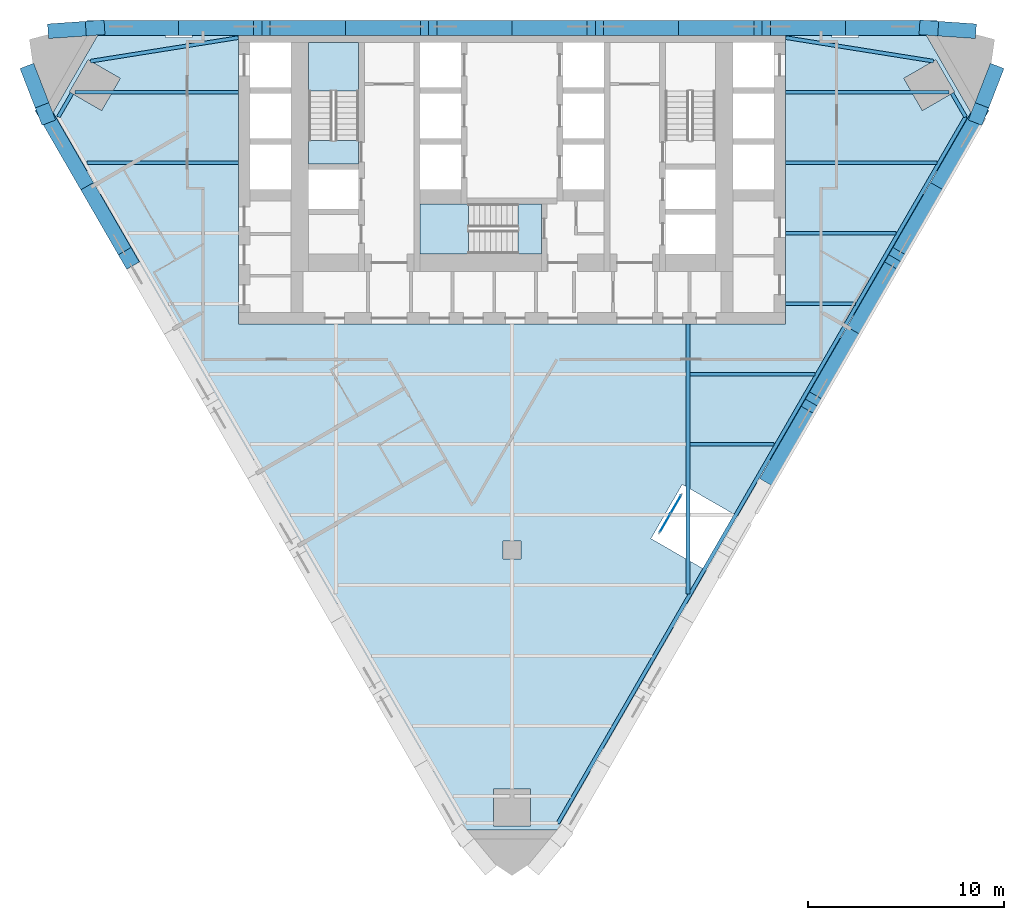
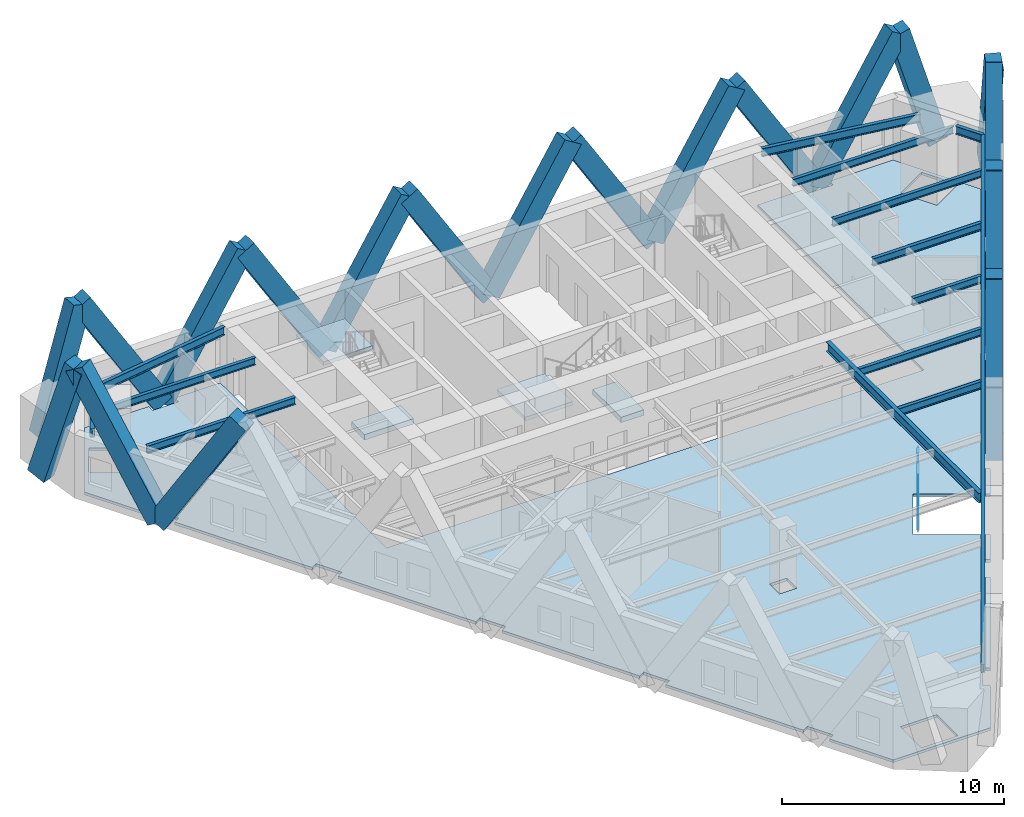
# One storey, part 3 of 10: 21 members, 14 beams, 5 slabs, 4 plates, 3 elements without a shape of their own.
"""IFC4 building model written with IfcOpenShell, lengths in metres."""

from ifc_helpers import new_model, si_unit, direction, frame, origin, origin_2d, place, context, subcontext, project, spatial, polyline, rectangle, i_section, outline, extrude, material, layer, layer_set, material_profile, profile_set, type_object, element, aggregate, save


model = new_model("IFC4")

# Units and contexts
model_context = context("Model", 3, precision=1e-05, world=origin(), true_north=direction((0.0, 1.0)))
body_context = subcontext(model_context, "Body", "Model", "MODEL_VIEW")
ifc_project = project(units=[si_unit("LENGTHUNIT", "METRE"), si_unit("AREAUNIT", "SQUARE_METRE"), si_unit("VOLUMEUNIT", "CUBIC_METRE"), si_unit("PLANEANGLEUNIT", "RADIAN"), si_unit("MASSUNIT", "GRAM", prefix="KILO")], contexts=[model_context])

# Site, building, storey
site_placement = place(None, origin())
site = spatial("IfcSite", under=ifc_project, at=site_placement, CompositionType="ELEMENT")
building_placement = place(site_placement, origin())
building = spatial("IfcBuilding", under=site, at=building_placement, Name="Aloe Facet Convention Tower", CompositionType="ELEMENT")
storey_placement = place(building_placement, frame((0.0, 0.0, 116.800048828125)))
storey = spatial("IfcBuildingStorey", under=building, at=storey_placement, Name="L29", CompositionType="ELEMENT", Elevation=116.800048828125)

# Beams
ifc_material_1 = material(Name="Steel S355", Category="steel")
ifc_material_profile_1 = material_profile(ifc_material_1, i_section(OverallWidth=0.177734375, OverallDepth=0.402587890625, WebThickness=0.0078125, FlangeThickness=0.010986328125, FilletRadius=0.01025390625, at=origin_2d()), Name="UB 406x178x54")
ifc_profile_set_1 = profile_set([ifc_material_profile_1], Name="Steel S355")
beam_type_1 = type_object("IfcBeamType", Name="SF-B-UB406x178x54", PredefinedType="BEAM", material=ifc_profile_set_1)
beam_1_placement = place(storey_placement, frame((57.6376953125, 131.39990234375, 3.148681640625), z_axis=(1.0, 0.0, 0.0), x_axis=(0.0, 1.0, 0.0)))
element("IfcBeam", 1, at=beam_1_placement, inside=storey, type_object=beam_type_1, Name="Floor beam FB-Z2B-013", PredefinedType="BEAM", context=body_context, shape_type="SweptSolid", body=[
    extrude(i_section(OverallWidth=0.177734375, OverallDepth=0.402587890625, WebThickness=0.0078125, FlangeThickness=0.010986328125, FilletRadius=0.01025390625, at=origin_2d()), origin(), (0.0, 0.0, 1.0), 8.3623046875),
])
beam_2_placement = place(storey_placement, frame((58.27294921875, 127.800048828125, 3.148681640625), z_axis=(1.0, 0.0, 0.0), x_axis=(0.0, 1.0, 0.0)))
element("IfcBeam", 2, at=beam_2_placement, inside=storey, type_object=beam_type_1, Name="Floor beam FB-Z2B-014", PredefinedType="BEAM", context=body_context, shape_type="SweptSolid", body=[
    extrude(i_section(OverallWidth=0.177734375, OverallDepth=0.402587890625, WebThickness=0.0078125, FlangeThickness=0.010986328125, FilletRadius=0.01025390625, at=origin_2d()), origin(), (0.0, 0.0, 1.0), 7.72705078125),
])
beam_3_placement = place(storey_placement, frame((89.10546875, 113.39990234375, 3.148681640625), z_axis=(1.0, 0.0, 0.0), x_axis=(0.0, 1.0, 0.0)))
element("IfcBeam", 3, at=beam_3_placement, inside=storey, type_object=beam_type_1, Name="Floor beam FB-Z2B-035", PredefinedType="BEAM", context=body_context, shape_type="SweptSolid", body=[
    extrude(i_section(OverallWidth=0.177734375, OverallDepth=0.402587890625, WebThickness=0.0078125, FlangeThickness=0.010986328125, FilletRadius=0.01025390625, at=origin_2d()), origin(), (0.0, 0.0, 1.0), 4.3076171875),
])
beam_4_placement = place(storey_placement, frame((89.10546875, 117.0, 3.148681640625), z_axis=(1.0, 0.0, 0.0), x_axis=(0.0, 1.0, 0.0)))
element("IfcBeam", 4, at=beam_4_placement, inside=storey, type_object=beam_type_1, Name="Floor beam FB-Z2B-036", PredefinedType="BEAM", context=body_context, shape_type="SweptSolid", body=[
    extrude(i_section(OverallWidth=0.177734375, OverallDepth=0.402587890625, WebThickness=0.0078125, FlangeThickness=0.010986328125, FilletRadius=0.01025390625, at=origin_2d()), origin(), (0.0, 0.0, 1.0), 6.38623046875),
])
beam_5_placement = place(storey_placement, frame((94.0, 120.60009765625, 3.148681640625), z_axis=(1.0, 0.0, 0.0), x_axis=(0.0, 1.0, 0.0)))
element("IfcBeam", 5, at=beam_5_placement, inside=storey, type_object=beam_type_1, Name="Floor beam FB-Z2B-037", PredefinedType="BEAM", context=body_context, shape_type="SweptSolid", body=[
    extrude(i_section(OverallWidth=0.177734375, OverallDepth=0.402587890625, WebThickness=0.0078125, FlangeThickness=0.010986328125, FilletRadius=0.01025390625, at=origin_2d()), origin(), (0.0, 0.0, 1.0), 3.570068359375),
])
beam_6_placement = place(storey_placement, frame((94.0, 124.199951171875, 3.148681640625), z_axis=(1.0, 0.0, 0.0), x_axis=(0.0, 1.0, 0.0)))
element("IfcBeam", 6, at=beam_6_placement, inside=storey, type_object=beam_type_1, Name="Floor beam FB-Z2B-038", PredefinedType="BEAM", context=body_context, shape_type="SweptSolid", body=[
    extrude(i_section(OverallWidth=0.177734375, OverallDepth=0.402587890625, WebThickness=0.0078125, FlangeThickness=0.010986328125, FilletRadius=0.01025390625, at=origin_2d()), origin(), (0.0, 0.0, 1.0), 5.648681640625),
])
beam_7_placement = place(storey_placement, frame((94.0, 127.800048828125, 3.148681640625), z_axis=(1.0, 0.0, 0.0), x_axis=(0.0, 1.0, 0.0)))
element("IfcBeam", 7, at=beam_7_placement, inside=storey, type_object=beam_type_1, Name="Floor beam FB-Z2B-039", PredefinedType="BEAM", context=body_context, shape_type="SweptSolid", body=[
    extrude(i_section(OverallWidth=0.177734375, OverallDepth=0.402587890625, WebThickness=0.0078125, FlangeThickness=0.010986328125, FilletRadius=0.01025390625, at=origin_2d()), origin(), (0.0, 0.0, 1.0), 7.72705078125),
])
beam_8_placement = place(storey_placement, frame((94.0, 131.39990234375, 3.148681640625), z_axis=(1.0, 0.0, 0.0), x_axis=(0.0, 1.0, 0.0)))
element("IfcBeam", 8, at=beam_8_placement, inside=storey, type_object=beam_type_1, Name="Floor beam FB-Z2B-040", PredefinedType="BEAM", context=body_context, shape_type="SweptSolid", body=[
    extrude(i_section(OverallWidth=0.177734375, OverallDepth=0.402587890625, WebThickness=0.0078125, FlangeThickness=0.010986328125, FilletRadius=0.01025390625, at=origin_2d()), origin(), (0.0, 0.0, 1.0), 8.3623046875),
])
ifc_material_2 = material(Name="Steel S355", Category="steel")
ifc_material_profile_2 = material_profile(ifc_material_2, i_section(OverallWidth=0.18994140625, OverallDepth=0.453369140625, WebThickness=0.008544921875, FlangeThickness=0.0126953125, FilletRadius=0.01025390625, at=origin_2d()), Name="UB 457x191x67")
ifc_profile_set_2 = profile_set([ifc_material_profile_2], Name="Steel S355")
beam_type_2 = type_object("IfcBeamType", Name="SF-B-UB457x191x67", PredefinedType="BEAM", material=ifc_profile_set_2)
beam_9_placement = place(storey_placement, frame((56.79638671875, 130.150390625, 3.123291015625), z_axis=(0.500046568876, 0.865998515562, 0.0), x_axis=(-0.865998515562, 0.500046568876, 0.0)))
element("IfcBeam", 9, at=beam_9_placement, inside=storey, type_object=beam_type_2, Name="Floor beam FB-Z2B-001", PredefinedType="BEAM", context=body_context, shape_type="SweptSolid", body=[
    extrude(i_section(OverallWidth=0.18994140625, OverallDepth=0.453369140625, WebThickness=0.008544921875, FlangeThickness=0.0126953125, FilletRadius=0.01025390625, at=origin_2d()), origin(), (0.0, 0.0, 1.0), 1.390869140625),
])
for number, where, z_axis, x_axis, name in (
    (10, (58.44189453125, 133.00048828125, 3.123291015625), (0.987536396348, 0.15739080624, 0.0), (-0.15739080624, 0.987536396348, 0.0), "Floor beam FB-Z2B-002"),
    (11, (101.55810546875, 133.00048828125, 3.123291015625), (-0.987536396348, 0.15739080624, 0.0), (-0.15739080624, -0.987536396348, 0.0), "Floor beam FB-Z2B-006"),
):
    element("IfcBeam", number, at=place(storey_placement, frame(where, z_axis=z_axis, x_axis=x_axis)), inside=storey, type_object=beam_type_2, Name=name, PredefinedType="BEAM", context=body_context, shape_type="SweptSolid", body=[
        extrude(i_section(OverallWidth=0.18994140625, OverallDepth=0.453369140625, WebThickness=0.008544921875, FlangeThickness=0.0126953125, FilletRadius=0.01025390625, at=origin_2d()), origin(), (0.0, 0.0, 1.0), 7.653564453125),
    ])
beam_10_placement = place(storey_placement, frame((102.508056640625, 131.35498046875, 3.123291015625), z_axis=(0.500046568876, -0.865998515562, 0.0), x_axis=(0.865998515562, 0.500046568876, 0.0)))
element("IfcBeam", 12, at=beam_10_placement, inside=storey, type_object=beam_type_2, Name="Floor beam FB-Z2B-007", PredefinedType="BEAM", context=body_context, shape_type="SweptSolid", body=[
    extrude(i_section(OverallWidth=0.18994140625, OverallDepth=0.453369140625, WebThickness=0.008544921875, FlangeThickness=0.0126953125, FilletRadius=0.01025390625, at=origin_2d()), origin(), (0.0, 0.0, 1.0), 1.390869140625),
])
beam_11_placement = place(storey_placement, frame((103.20361328125, 130.150390625, 3.123291015625), z_axis=(-0.499997308433, -0.866026957756, 0.0), x_axis=(0.866026957756, -0.499997308433, 0.0)))
element("IfcBeam", 13, at=beam_11_placement, inside=storey, type_object=beam_type_2, Name="Floor beam FB-Z2B-008", PredefinedType="BEAM", context=body_context, shape_type="SweptSolid", body=[
    extrude(i_section(OverallWidth=0.18994140625, OverallDepth=0.453369140625, WebThickness=0.008544921875, FlangeThickness=0.0126953125, FilletRadius=0.01025390625, at=origin_2d()), origin(), (0.0, 0.0, 1.0), 41.725341796875),
])
ifc_material_3 = material(Name="Steel S355", Category="steel")
ifc_material_profile_3 = material_profile(ifc_material_3, i_section(OverallWidth=0.210693359375, OverallDepth=0.53955078125, WebThickness=0.01171875, FlangeThickness=0.018798828125, FilletRadius=0.0126953125, at=origin_2d()), Name="UB 533x210x109")
ifc_profile_set_3 = profile_set([ifc_material_profile_3], Name="Steel S355")
beam_type_3 = type_object("IfcBeamType", Name="SF-B-UB533x210x109", PredefinedType="BEAM", material=ifc_profile_set_3)
beam_12_placement = place(storey_placement, frame((89.0, 119.550048828125, 3.080078125), z_axis=(0.0, -1.0, 0.0), x_axis=(1.0, 0.0, 0.0)))
element("IfcBeam", 14, at=beam_12_placement, inside=storey, type_object=beam_type_3, Name="Floor beam FB-Z2B-012", PredefinedType="BEAM", context=body_context, shape_type="SweptSolid", body=[
    extrude(i_section(OverallWidth=0.210693359375, OverallDepth=0.53955078125, WebThickness=0.01171875, FlangeThickness=0.018798828125, FilletRadius=0.0126953125, at=origin_2d()), origin(), (0.0, 0.0, 1.0), 13.80126953125),
])

# Members
ifc_material_4 = material(Name="Concrete C60/75, bronze oxide finish", Category="concrete")
ifc_material_profile_4 = material_profile(ifc_material_4, rectangle(XDim=0.75, YDim=1.0, at=origin_2d()), Name="STW-LM")
ifc_profile_set_4 = profile_set([ifc_material_profile_4], Name="Concrete C60/75, bronze oxide finish")
member_type = type_object("IfcMemberType", Name="STW-LM", PredefinedType="BRACE", material=ifc_profile_set_4)
for number, where, z_axis, x_axis, name in (
    (15, (97.05712890625, 134.699951171875, 0.0), (0.520261568685, 0.0, 0.854006967272), (0.0, 1.0, 0.0), "Lattice member LM-Z2-F1-R5-01"),
    (16, (97.05712890625, 134.699951171875, 0.0), (-0.520239844858, 0.0, 0.854020201062), (0.0, -1.0, 0.0), "Lattice member LM-Z2-F1-R5-02"),
    (17, (88.528564453125, 134.699951171875, 0.0), (0.520261568685, 0.0, 0.854006967272), (0.0, 1.0, 0.0), "Lattice member LM-Z2-F1-R5-03"),
    (18, (88.528564453125, 134.699951171875, 0.0), (-0.520239844858, 0.0, 0.854020201062), (0.0, -1.0, 0.0), "Lattice member LM-Z2-F1-R5-04"),
    (19, (80.0, 134.699951171875, 0.0), (0.520261568685, 0.0, 0.854006967272), (0.0, 1.0, 0.0), "Lattice member LM-Z2-F1-R5-05"),
    (20, (80.0, 134.699951171875, 0.0), (-0.520261568685, 0.0, 0.854006967272), (0.0, -1.0, 0.0), "Lattice member LM-Z2-F1-R5-06"),
    (21, (71.471435546875, 134.699951171875, 0.0), (0.520239844858, 0.0, 0.854020201062), (0.0, 1.0, 0.0), "Lattice member LM-Z2-F1-R5-07"),
    (22, (71.471435546875, 134.699951171875, 0.0), (-0.520261568685, 0.0, 0.854006967272), (0.0, -1.0, 0.0), "Lattice member LM-Z2-F1-R5-08"),
    (23, (62.94287109375, 134.699951171875, 0.0), (0.520239844858, 0.0, 0.854020201062), (0.0, 1.0, 0.0), "Lattice member LM-Z2-F1-R5-09"),
    (24, (62.94287109375, 134.699951171875, 0.0), (-0.520261568685, 0.0, 0.854006967272), (0.0, -1.0, 0.0), "Lattice member LM-Z2-F1-R5-10"),
):
    element("IfcMember", number, at=place(storey_placement, frame(where, z_axis=z_axis, x_axis=x_axis)), inside=storey, type_object=member_type, Name=name, PredefinedType="BRACE", context=body_context, shape_type="SweptSolid", body=[
        extrude(rectangle(XDim=0.75, YDim=1.0, at=origin_2d()), origin(), (0.0, 0.0, 1.0), 8.196533203125),
    ])
member_1_placement = place(storey_placement, frame((58.2705078125, 126.607177734375, 0.0), z_axis=(-0.260144200438, 0.450561177013, 0.854002119873), x_axis=(-0.866014930446, -0.500018139916, 0.0)))
element("IfcMember", 25, at=member_1_placement, inside=storey, type_object=member_type, Name="Lattice member LM-Z2-F2-R5-01", PredefinedType="BRACE", context=body_context, shape_type="SweptSolid", body=[
    extrude(rectangle(XDim=0.75, YDim=1.0, at=origin_2d()), origin(), (0.0, 0.0, 1.0), 8.19677734375),
])
for number, where, z_axis, x_axis, name in (
    (26, (58.2705078125, 126.607177734375, 0.0), (0.26011992139, -0.45054092877, 0.854020197653), (0.866025408043, 0.499999992624, 0.0), "Lattice member LM-Z2-F2-R5-02"),
    (27, (93.200927734375, 111.835205078125, 0.0), (0.260116430601, 0.450564668007, 0.854008736768), (-0.866039720501, 0.4999752019, 0.0), "Lattice member LM-Z2-F3-R5-06"),
    (28, (97.46533203125, 119.22119140625, 0.0), (-0.260147691546, -0.450537437867, 0.854013580491), (0.866000615939, -0.500042931351, 0.0), "Lattice member LM-Z2-F3-R5-07"),
    (29, (97.46533203125, 119.22119140625, 0.0), (0.260116430601, 0.450564668007, 0.854008736768), (-0.866039720501, 0.4999752019, 0.0), "Lattice member LM-Z2-F3-R5-08"),
    (30, (101.7294921875, 126.607177734375, 0.0), (-0.26011992139, -0.45054092877, 0.854020197653), (0.866025408043, -0.499999992624, 0.0), "Lattice member LM-Z2-F3-R5-09"),
):
    element("IfcMember", number, at=place(storey_placement, frame(where, z_axis=z_axis, x_axis=x_axis)), inside=storey, type_object=member_type, Name=name, PredefinedType="BRACE", context=body_context, shape_type="SweptSolid", body=[
        extrude(rectangle(XDim=0.75, YDim=1.0, at=origin_2d()), origin(), (0.0, 0.0, 1.0), 8.196533203125),
    ])
member_2_placement = place(storey_placement, frame((101.7294921875, 126.607177734375, 0.0), z_axis=(0.260144200438, 0.450561177013, 0.854002119873), x_axis=(-0.866014930446, 0.500018139916, 0.0)))
element("IfcMember", 31, at=member_2_placement, inside=storey, type_object=member_type, Name="Lattice member LM-Z2-F3-R5-10", PredefinedType="BRACE", context=body_context, shape_type="SweptSolid", body=[
    extrude(rectangle(XDim=0.75, YDim=1.0, at=origin_2d()), origin(), (0.0, 0.0, 1.0), 8.19677734375),
])
member_3_placement = place(storey_placement, frame((104.643310546875, 132.315185546875, 0.13720703125), z_axis=(-0.108615832338, -0.280039507742, 0.953824132149), x_axis=(0.932328666183, -0.361612027196, 0.0)))
element("IfcMember", 32, at=member_3_placement, inside=storey, type_object=member_type, Name="Lattice member LM-Z2-F6-R4-05", PredefinedType="BRACE", context=body_context, shape_type="SweptSolid", body=[
    extrude(rectangle(XDim=0.75, YDim=1.0, at=origin_2d()), origin(), (0.0, 0.0, 1.0), 7.195068359375),
])
for number, where, z_axis, x_axis, name in (
    (33, (103.251953125, 134.56494140625, 0.463623046875), (-0.283185007179, 0.019805401413, 0.958860781232), (-0.069767609604, -0.997563271502, 0.0), "Lattice member LM-Z2-F6-R4-06"),
    (34, (56.748046875, 134.56494140625, 0.463623046875), (0.283185007179, 0.019805401413, 0.958860781232), (-0.069767609604, 0.997563271502, 0.0), "Lattice member LM-Z2-F4-R4-05"),
):
    element("IfcMember", number, at=place(storey_placement, frame(where, z_axis=z_axis, x_axis=x_axis)), inside=storey, type_object=member_type, Name=name, PredefinedType="BRACE", context=body_context, shape_type="SweptSolid", body=[
        extrude(rectangle(XDim=0.75, YDim=1.0, at=origin_2d()), origin(), (0.0, 0.0, 1.0), 6.81689453125),
    ])
member_4_placement = place(storey_placement, frame((55.356689453125, 132.315185546875, 0.13720703125), z_axis=(0.108615832338, -0.280039507742, 0.953824132149), x_axis=(0.932328666183, 0.361612027196, 0.0)))
element("IfcMember", 35, at=member_4_placement, inside=storey, type_object=member_type, Name="Lattice member LM-Z2-F4-R4-06", PredefinedType="BRACE", context=body_context, shape_type="SweptSolid", body=[
    extrude(rectangle(XDim=0.75, YDim=1.0, at=origin_2d()), origin(), (0.0, 0.0, 1.0), 7.195068359375),
])

# Slabs
ifc_material_5 = material(Name="Concrete C70/85", Category="concrete")
ifc_layer_1 = layer(ifc_material_5, 0.300048828125)
ifc_layer_set_1 = layer_set([ifc_layer_1], Name="CR-S-FLOOR300-C7085")
slab_type_1 = type_object("IfcSlabType", Name="CR-S-FLOOR300-C7085", PredefinedType="FLOOR", material=ifc_layer_set_1)
slab_1_placement = place(storey_placement, frame((0.0, 0.0, -0.300048828125)))
element("IfcSlab", 36, at=slab_1_placement, inside=storey, type_object=slab_type_1, Name="Stair landing floor L29", PredefinedType="FLOOR", context=body_context, shape_type="SweptSolid", body=[
    extrude(outline(polyline([(72.14990234375, 127.75), (72.14990234375, 128.951171875), (69.60009765625, 128.951171875), (69.60009765625, 127.75), (72.14990234375, 127.75)])), origin(), (0.0, 0.0, 1.0), 0.300048828125),
])
slab_2_placement = place(storey_placement, frame((0.0, 0.0, -0.300048828125)))
element("IfcSlab", 37, at=slab_2_placement, inside=storey, type_object=slab_type_1, Name="Stair landing floor L29", PredefinedType="FLOOR", context=body_context, shape_type="SweptSolid", body=[
    extrude(outline(polyline([(81.5, 125.699951171875), (80.298828125, 125.699951171875), (80.298828125, 123.14990234375), (81.5, 123.14990234375), (81.5, 125.699951171875)])), origin(), (0.0, 0.0, 1.0), 0.300048828125),
])

# Stair, slab
ifc_material_6 = material(Name="Concrete C50/60", Category="concrete")
stair_type = type_object("IfcStairType", Name="CR-ST-20R", PredefinedType="HALF_TURN_STAIR", material=ifc_material_6)
stair_1_placement = place(storey_placement, origin())
stair_1 = element("IfcStair", 38, at=stair_1_placement, inside=storey, type_object=stair_type, Name="L29 Protected exit stair ST1", PredefinedType="HALF_TURN_STAIR")
ifc_material_7 = material(Name="Concrete C50/60", Category="concrete")
ifc_layer_2 = layer(ifc_material_7, 0.199951171875)
ifc_layer_set_2 = layer_set([ifc_layer_2], Name="CR-SL-LANDING")
slab_type_2 = type_object("IfcSlabType", Name="CR-SL-LANDING", PredefinedType="LANDING", material=ifc_layer_set_2)
slab_3_placement = place(storey_placement, frame((0.0, 0.0, 1.550048828125)))
slab_3 = element("IfcSlab", 39, at=slab_3_placement, type_object=slab_type_2, Name="ST1 landing 1", PredefinedType="LANDING", context=body_context, shape_type="SweptSolid", body=[
    extrude(outline(polyline([(72.14990234375, 131.469970703125), (72.14990234375, 133.949951171875), (69.60009765625, 133.949951171875), (69.60009765625, 131.469970703125), (72.14990234375, 131.469970703125)])), origin(), (0.0, 0.0, 1.0), 0.199951171875),
])
aggregate(stair_1, [slab_3])

stair_2_placement = place(storey_placement, origin())
stair_2 = element("IfcStair", 40, at=stair_2_placement, inside=storey, type_object=stair_type, Name="L29 Protected exit stair ST3", PredefinedType="HALF_TURN_STAIR")
slab_4_placement = place(storey_placement, frame((0.0, 0.0, 1.550048828125)))
slab_4 = element("IfcSlab", 41, at=slab_4_placement, type_object=slab_type_2, Name="ST3 landing 1", PredefinedType="LANDING", context=body_context, shape_type="SweptSolid", body=[
    extrude(outline(polyline([(77.780029296875, 125.699951171875), (75.300048828125, 125.699951171875), (75.300048828125, 123.14990234375), (77.780029296875, 123.14990234375), (77.780029296875, 125.699951171875)])), origin(), (0.0, 0.0, 1.0), 0.199951171875),
])
aggregate(stair_2, [slab_4])

# Curtain wall, plates
ifc_material_8 = material(Name="Aluminium, anodised", Category="aluminium")
curtain_wall_type = type_object("IfcCurtainWallType", Name="EV-CW-TERRACE", PredefinedType="USERDEFINED", material=ifc_material_8)
curtain_wall_placement = place(storey_placement, origin())
curtain_wall = element("IfcCurtainWall", 42, at=curtain_wall_placement, inside=storey, type_object=curtain_wall_type, Name="CW-T06", ObjectType="TERRACE BACK GLAZING", PredefinedType="USERDEFINED")
ifc_material_9 = material(Name="Clear double glazing", Category="glass")
ifc_layer_3 = layer(ifc_material_9, 0.028076171875)
ifc_layer_set_3 = layer_set([ifc_layer_3], Name="EV-PANEL-TERRACE")
plate_type = type_object("IfcPlateType", Name="EV-PANEL-TERRACE", PredefinedType="CURTAIN_PANEL", material=ifc_layer_set_3)
plate_1_placement = place(storey_placement, frame((87.82275390625, 109.369873046875, -0.08984375), z_axis=(0.0, 0.0, 1.0), x_axis=(0.49999999994, 0.866025403819, 0.0)))
plate_1 = element("IfcPlate", 43, at=plate_1_placement, type_object=plate_type, Name="CW-T06 panel 1.1", PredefinedType="CURTAIN_PANEL", context=body_context, shape_type="SweptSolid", body=[
    extrude(rectangle(XDim=1.06005859375, YDim=0.028076171875, at=origin_2d()), origin(), (0.0, 0.0, 1.0), 1.458740234375),
])
plate_2_placement = place(storey_placement, frame((87.82275390625, 109.369873046875, 1.4287109375), z_axis=(0.0, 0.0, 1.0), x_axis=(0.49999999994, 0.866025403819, 0.0)))
plate_2 = element("IfcPlate", 44, at=plate_2_placement, type_object=plate_type, Name="CW-T06 panel 1.2", PredefinedType="CURTAIN_PANEL", context=body_context, shape_type="SweptSolid", body=[
    extrude(rectangle(XDim=1.06005859375, YDim=0.028076171875, at=origin_2d()), origin(), (0.0, 0.0, 1.0), 1.458740234375),
])
plate_3_placement = place(storey_placement, frame((88.382568359375, 110.33984375, -0.08984375), z_axis=(0.0, 0.0, 1.0), x_axis=(0.49999999994, 0.866025403819, 0.0)))
plate_3 = element("IfcPlate", 45, at=plate_3_placement, type_object=plate_type, Name="CW-T06 panel 2.1", PredefinedType="CURTAIN_PANEL", context=body_context, shape_type="SweptSolid", body=[
    extrude(rectangle(XDim=1.06005859375, YDim=0.028076171875, at=origin_2d()), origin(), (0.0, 0.0, 1.0), 1.458740234375),
])
plate_4_placement = place(storey_placement, frame((88.382568359375, 110.33984375, 1.4287109375), z_axis=(0.0, 0.0, 1.0), x_axis=(0.49999999994, 0.866025403819, 0.0)))
plate_4 = element("IfcPlate", 46, at=plate_4_placement, type_object=plate_type, Name="CW-T06 panel 2.2", PredefinedType="CURTAIN_PANEL", context=body_context, shape_type="SweptSolid", body=[
    extrude(rectangle(XDim=1.06005859375, YDim=0.028076171875, at=origin_2d()), origin(), (0.0, 0.0, 1.0), 1.458740234375),
])
aggregate(curtain_wall, [plate_1, plate_2, plate_3, plate_4])

# Slab
ifc_material_10 = material(Name="Concrete C35/45", Category="concrete")
ifc_layer_4 = layer(ifc_material_10, 0.14990234375)
ifc_layer_set_4 = layer_set([ifc_layer_4], Name="SF-FS-150")
slab_type_3 = type_object("IfcSlabType", Name="SF-FS-150", PredefinedType="FLOOR", material=ifc_layer_set_4)
slab_5_placement = place(storey_placement, frame((0.0, 0.0, -0.150146484375)))
element("IfcSlab", 47, at=slab_5_placement, inside=storey, type_object=slab_type_3, Name="Floor slab L29-1", PredefinedType="FLOOR", context=body_context, shape_type="SweptSolid", body=[
    extrude(outline(polyline([(77.459716796875, 93.67041015625), (75.7958984375, 96.552001953125), (76.09912109375, 96.72705078125), (76.053466796875, 96.80615234375), (75.8837890625, 97.10009765625), (75.422119140625, 97.8994140625), (75.119140625, 97.724365234375), (71.53173828125, 103.93798828125), (71.834716796875, 104.113037109375), (71.7890625, 104.192138671875), (71.619384765625, 104.486083984375), (71.157958984375, 105.285400390625), (70.854736328125, 105.1103515625), (67.267333984375, 111.32421875), (67.570556640625, 111.4990234375), (67.52490234375, 111.578125), (67.232177734375, 112.085205078125), (67.1201171875, 112.279296875), (66.8935546875, 112.67138671875), (66.590576171875, 112.496337890625), (63.003173828125, 118.710205078125), (63.30615234375, 118.885009765625), (63.0908203125, 119.258056640625), (62.9677734375, 119.47119140625), (62.675048828125, 119.978271484375), (62.62939453125, 120.057373046875), (62.326171875, 119.88232421875), (58.73876953125, 126.09619140625), (59.0419921875, 126.27099609375), (58.99609375, 126.35009765625), (58.959716796875, 126.413330078125), (58.580322265625, 127.070556640625), (58.364990234375, 127.443359375), (58.06201171875, 127.268310546875), (56.398193359375, 130.150390625), (58.938232421875, 134.550048828125), (62.265869140625, 134.550048828125), (62.265869140625, 134.199951171875), (62.357421875, 134.199951171875), (62.696533203125, 134.199951171875), (62.94287109375, 134.199951171875), (63.18896484375, 134.199951171875), (63.5283203125, 134.199951171875), (63.61962890625, 134.199951171875), (63.61962890625, 134.550048828125), (66.0, 134.550048828125), (66.0, 131.949951171875), (66.0, 131.050048828125), (66.0, 129.35009765625), (66.0, 128.449951171875), (66.0, 126.449951171875), (66.0, 125.85009765625), (66.0, 124.689453125), (66.0, 123.639404296875), (66.0, 122.550048828125), (66.0, 121.5), (66.0, 119.550048828125), (68.699951171875, 119.550048828125), (69.300048828125, 119.550048828125), (72.10009765625, 119.550048828125), (73.14990234375, 119.550048828125), (74.300048828125, 119.550048828125), (75.35009765625, 119.550048828125), (76.433349609375, 119.550048828125), (77.4833984375, 119.550048828125), (78.566650390625, 119.550048828125), (79.61669921875, 119.550048828125), (80.699951171875, 119.550048828125), (81.75, 119.550048828125), (82.64990234375, 119.550048828125), (83.699951171875, 119.550048828125), (84.64990234375, 119.550048828125), (85.699951171875, 119.550048828125), (86.85009765625, 119.550048828125), (87.89990234375, 119.550048828125), (88.550048828125, 119.550048828125), (89.60009765625, 119.550048828125), (90.699951171875, 119.550048828125), (91.300048828125, 119.550048828125), (94.0, 119.550048828125), (94.0, 122.523681640625), (94.0, 123.57373046875), (94.0, 125.85009765625), (94.0, 126.449951171875), (94.0, 128.449951171875), (94.0, 129.35009765625), (94.0, 131.050048828125), (94.0, 131.949951171875), (94.0, 134.550048828125), (96.38037109375, 134.550048828125), (96.38037109375, 134.199951171875), (96.4716796875, 134.199951171875), (96.81103515625, 134.199951171875), (97.05712890625, 134.199951171875), (97.303466796875, 134.199951171875), (97.642578125, 134.199951171875), (97.734130859375, 134.199951171875), (97.734130859375, 134.550048828125), (101.061767578125, 134.550048828125), (103.601806640625, 130.150390625), (101.93798828125, 127.268310546875), (101.635009765625, 127.443359375), (101.543212890625, 127.2841796875), (101.419677734375, 127.070556640625), (101.050048828125, 126.430419921875), (101.00390625, 126.35009765625), (100.9580078125, 126.27099609375), (101.26123046875, 126.09619140625), (97.673828125, 119.88232421875), (97.37060546875, 120.057373046875), (96.9091796875, 119.258056640625), (96.739501953125, 118.964111328125), (96.69384765625, 118.885009765625), (96.996826171875, 118.710205078125), (93.409423828125, 112.496337890625), (93.1064453125, 112.67138671875), (92.89111328125, 112.298583984375), (92.79931640625, 112.139404296875), (92.644775390625, 111.8720703125), (92.644775390625, 111.8720703125), (92.610595703125, 111.812744140625), (92.47509765625, 111.578125), (92.429443359375, 111.4990234375), (92.732666015625, 111.32421875), (91.739013671875, 109.602783203125), (88.707763671875, 111.352783203125), (87.10791015625, 108.58154296875), (90.138916015625, 106.83154296875), (89.145263671875, 105.1103515625), (88.842041015625, 105.285400390625), (88.75, 105.126220703125), (88.503662109375, 104.69921875), (88.2109375, 104.192138671875), (88.165283203125, 104.113037109375), (88.46826171875, 103.93798828125), (84.880859375, 97.724365234375), (84.577880859375, 97.8994140625), (84.529296875, 97.8154296875), (84.2392578125, 97.313232421875), (83.946533203125, 96.80615234375), (83.90087890625, 96.72705078125), (84.2041015625, 96.552001953125), (82.540283203125, 93.67041015625), (77.459716796875, 93.67041015625)]), holes=[polyline([(59.9619140625, 132.122802734375), (58.31640625, 133.072998046875), (57.366455078125, 131.427490234375), (59.01171875, 130.477294921875), (59.9619140625, 132.122802734375)]), polyline([(79.050048828125, 95.770263671875), (79.050048828125, 93.870361328125), (80.949951171875, 93.870361328125), (80.949951171875, 95.770263671875), (79.050048828125, 95.770263671875)]), polyline([(79.550048828125, 107.550048828125), (80.449951171875, 107.550048828125), (80.449951171875, 108.449951171875), (79.550048828125, 108.449951171875), (79.550048828125, 107.550048828125)]), polyline([(100.98828125, 130.477294921875), (102.633544921875, 131.427490234375), (101.68359375, 133.072998046875), (100.0380859375, 132.122802734375), (100.98828125, 130.477294921875)])]), origin(), (0.0, 0.0, 1.0), 0.150146484375),
])

save(model, "model.ifc")
